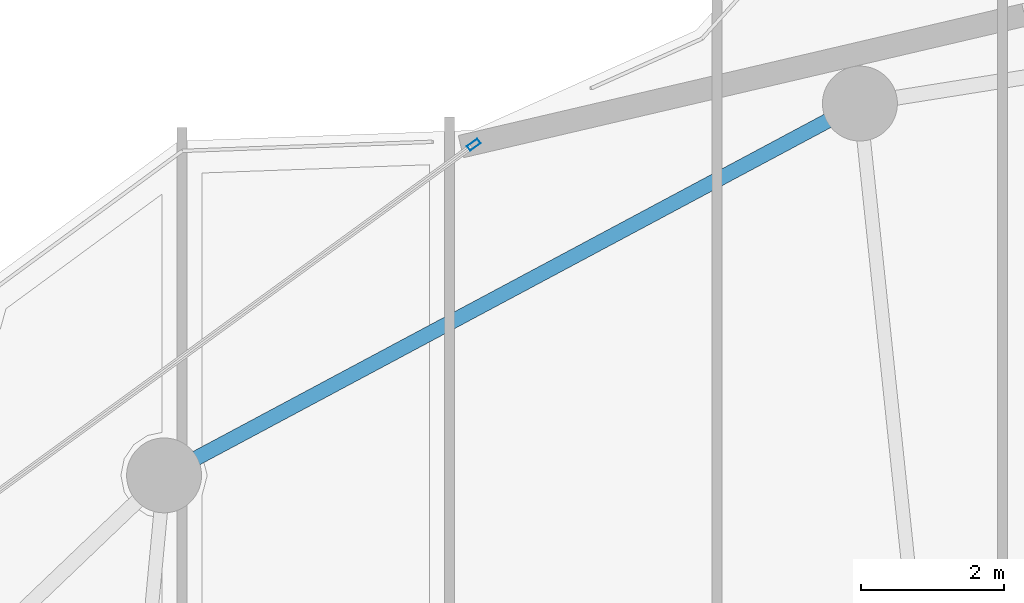
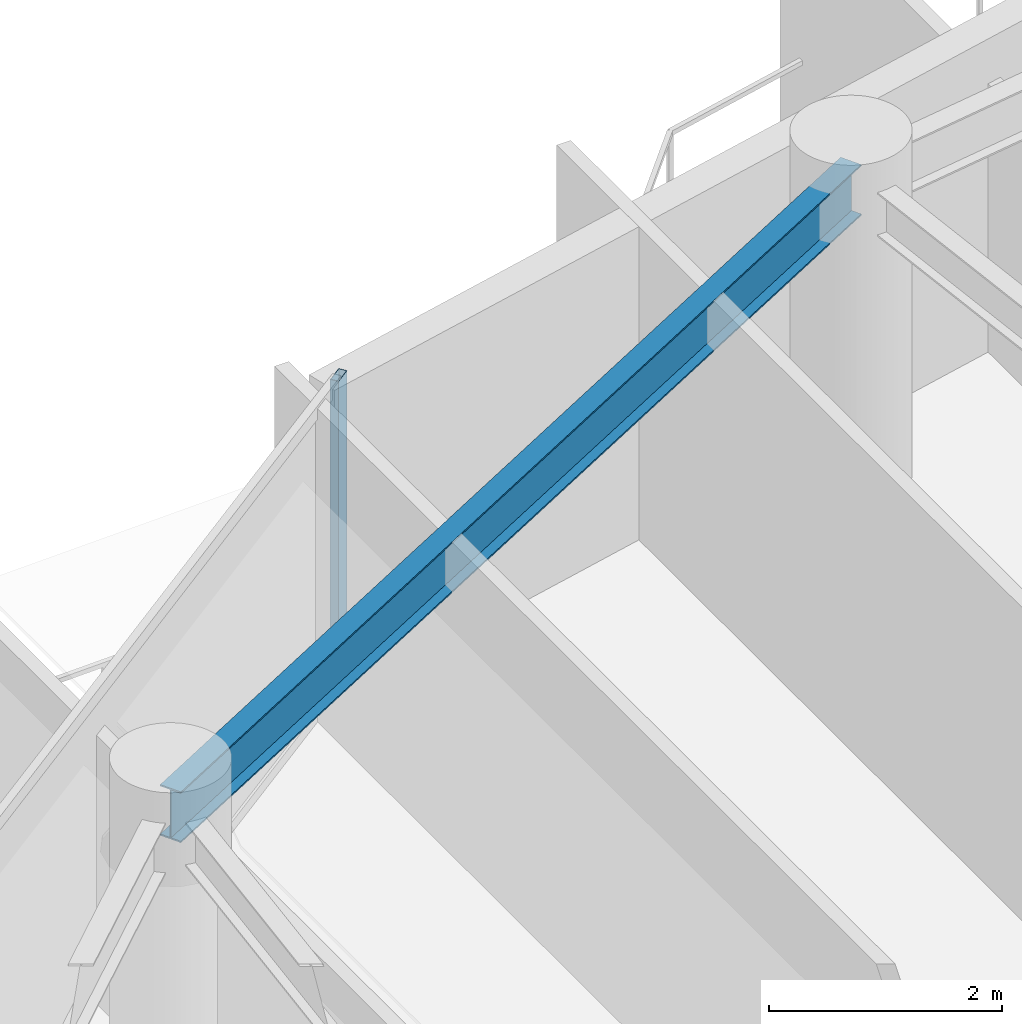
# One storey, part 18 of 31: 1 beam, 1 member, 1 element without a shape of its own.
"""IFC4 building model written with IfcOpenShell, lengths in metres."""

from ifc_helpers import new_model, si_unit, direction, frame, origin, origin_2d, place, context, subcontext, project, spatial, hollow_rectangle, i_section, extrude, material, layer, layer_set, material_profile, profile_set, type_object, element, aggregate, save


model = new_model("IFC4")

# Units and contexts
model_context = context("Model", 3, precision=1e-05, world=origin(), true_north=direction((0.0, 1.0)))
body_context = subcontext(model_context, "Body", "Model", "MODEL_VIEW")
ifc_project = project(units=[si_unit("LENGTHUNIT", "METRE"), si_unit("AREAUNIT", "SQUARE_METRE"), si_unit("VOLUMEUNIT", "CUBIC_METRE"), si_unit("PLANEANGLEUNIT", "RADIAN"), si_unit("MASSUNIT", "GRAM", prefix="KILO")], contexts=[model_context])

# Site, building, storey
site_placement = place(None, origin())
site = spatial("IfcSite", under=ifc_project, at=site_placement, CompositionType="ELEMENT")
building_placement = place(site_placement, origin())
building = spatial("IfcBuilding", under=site, at=building_placement, Name="Kazevale Care Tower and Concert Hall", CompositionType="ELEMENT")
storey_placement = place(building_placement, frame((0.0, 0.0, 187.199951171875)))
storey = spatial("IfcBuildingStorey", under=building, at=storey_placement, Name="L49", CompositionType="ELEMENT", Elevation=187.199951171875)

# Curtain wall, member
ifc_material_1 = material(Name="Aluminium 6063-T6 and Low-E Glass", Category="aluminium")
ifc_layer = layer(ifc_material_1, 0.179931640625)
ifc_layer_set = layer_set([ifc_layer], Name="Aluminium 6063-T6 and Low-E Glass")
curtain_wall_type = type_object("IfcCurtainWallType", Name="Waist & Upper Residential Curtain Wall CW-4", PredefinedType="NOTDEFINED", material=ifc_layer_set)
curtain_wall_placement = place(storey_placement, origin())
curtain_wall = element("IfcCurtainWall", 1, at=curtain_wall_placement, inside=storey, type_object=curtain_wall_type, Name="cw:L49:f14", PredefinedType="NOTDEFINED")
ifc_material_2 = material(Name="Aluminium 6063-T6", Category="aluminium")
ifc_material_profile_1 = material_profile(ifc_material_2, hollow_rectangle(XDim=0.080078125, YDim=0.179931640625, WallThickness=0.0048828125, at=origin_2d()), Name="ALU80x180x5")
ifc_profile_set_1 = profile_set([ifc_material_profile_1], Name="Aluminium 6063-T6")
member_type = type_object("IfcMemberType", Name="CW-4 Mullion ALU80x180x5", PredefinedType="MULLION", material=ifc_profile_set_1)
member_placement = place(storey_placement, frame((28.090576171875, 59.6435546875, 0.0), z_axis=(0.0, 0.0, 1.0), x_axis=(-0.588910374145, 0.808198348937, 0.0)))
member = element("IfcMember", 2, at=member_placement, type_object=member_type, Name="CW-4 mullion 2", PredefinedType="MULLION", context=body_context, shape_type="SweptSolid", body=[
    extrude(hollow_rectangle(XDim=0.080078125, YDim=0.179931640625, WallThickness=0.0048828125, at=origin_2d()), origin(), (0.0, 0.0, 1.0), 3.280029296875),
])
aggregate(curtain_wall, [member])

# Beam
ifc_material_3 = material(Name="Steel ASTM A572 Gr 50", Category="steel")
ifc_material_profile_2 = material_profile(ifc_material_3, i_section(OverallWidth=0.208984375, OverallDepth=0.532958984375, WebThickness=0.01025390625, FlangeThickness=0.015625, at=origin_2d()), Name="W530x92")
ifc_profile_set_2 = profile_set([ifc_material_profile_2], Name="Steel ASTM A572 Gr 50")
beam_type = type_object("IfcBeamType", Name="Upper Ring Beam W530x92", PredefinedType="BEAM", material=ifc_profile_set_2)
beam_placement = place(storey_placement, frame((33.5, 60.219970703125, 3.013427734375), z_axis=(-0.881978519833, -0.471289603697, 0.0), x_axis=(0.471289603697, -0.881978519833, 0.0)))
element("IfcBeam", 3, at=beam_placement, inside=storey, type_object=beam_type, Name="beam:L49:ring:06", PredefinedType="BEAM", context=body_context, shape_type="SweptSolid", body=[
    extrude(i_section(OverallWidth=0.208984375, OverallDepth=0.532958984375, WebThickness=0.01025390625, FlangeThickness=0.015625, at=origin_2d()), origin(), (0.0, 0.0, 1.0), 11.0546875),
])

save(model, "model.ifc")
